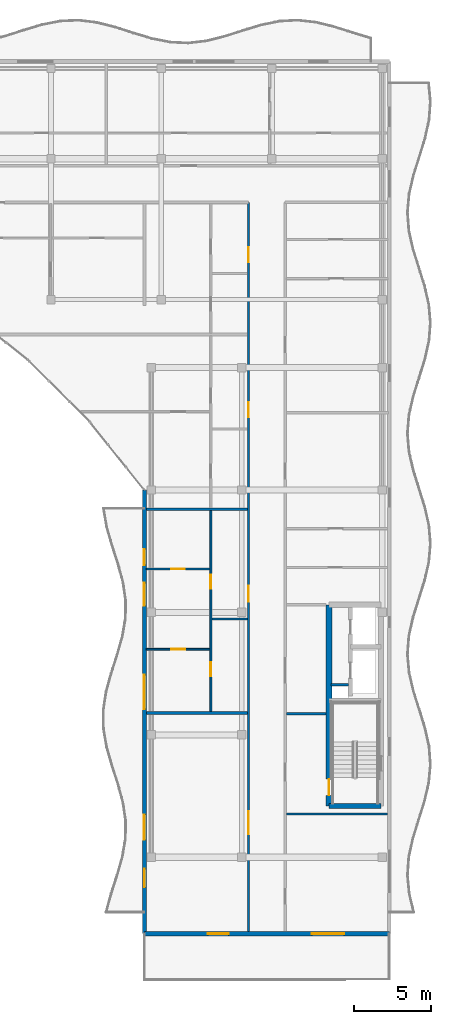
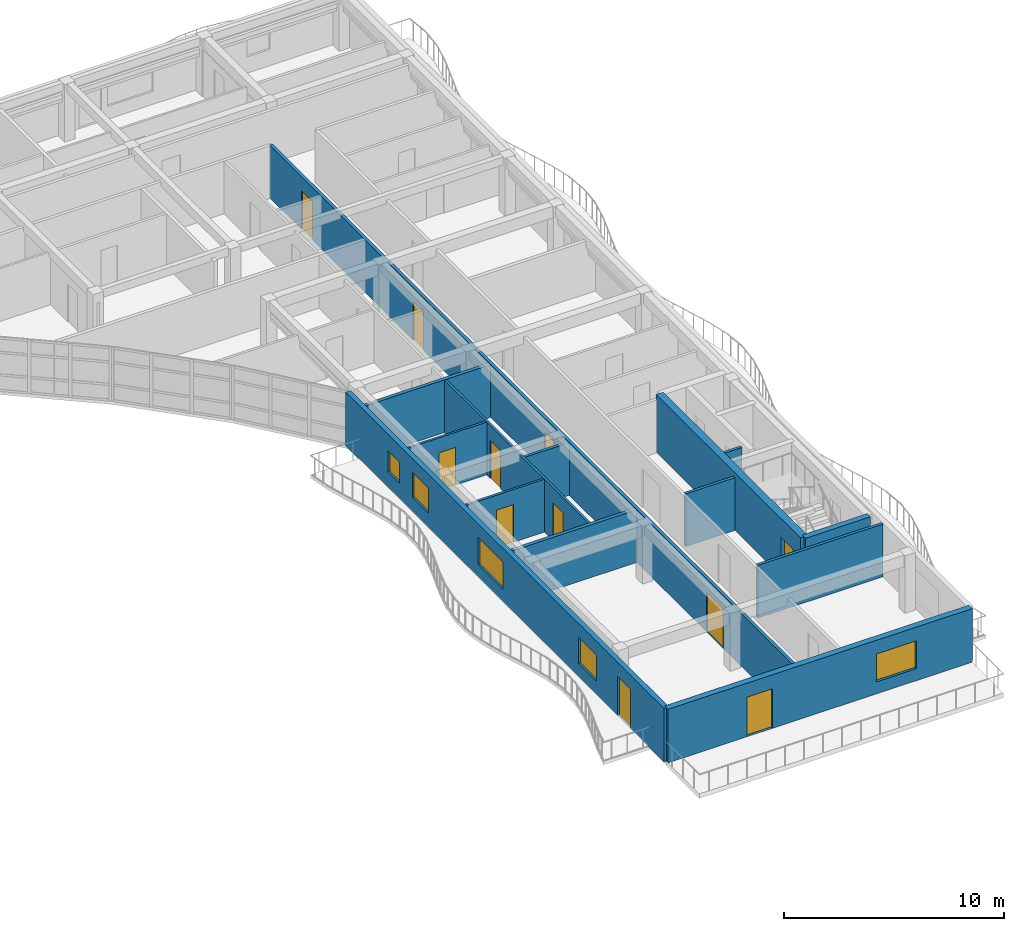
# One storey, part 33 of 49: 14 walls, 11 doors, 5 windows, 16 openings.
"""IFC4 building model written with IfcOpenShell, lengths in metres."""

from ifc_helpers import new_model, si_unit, direction, frame, frame_2d, origin, place, context, subcontext, project, spatial, rectangle, extrude, material, layer, layer_set, type_object, element, fill, save


model = new_model("IFC4")

# Units and contexts
model_context = context("Model", 3, precision=1e-05, world=origin(), true_north=direction((0.0, 1.0)))
body_context = subcontext(model_context, "Body", "Model", "MODEL_VIEW")
ifc_project = project(units=[si_unit("LENGTHUNIT", "METRE"), si_unit("AREAUNIT", "SQUARE_METRE"), si_unit("VOLUMEUNIT", "CUBIC_METRE"), si_unit("PLANEANGLEUNIT", "RADIAN"), si_unit("MASSUNIT", "GRAM", prefix="KILO")], contexts=[model_context])

# Site, building, storey
site_placement = place(None, origin())
site = spatial("IfcSite", under=ifc_project, at=site_placement, CompositionType="ELEMENT")
building_placement = place(site_placement, origin())
building = spatial("IfcBuilding", under=site, at=building_placement, Name="Keldmere Railside Commons", CompositionType="ELEMENT")
storey_placement = place(building_placement, frame((0.0, 0.0, 29.760009765625)))
storey = spatial("IfcBuildingStorey", under=building, at=storey_placement, Name="L09", CompositionType="ELEMENT", Elevation=29.760009765625)

# Walls
ifc_material_1 = material(Name="Acoustic Gypsum Board Partition", Category="gypsum")
ifc_layer_1 = layer(ifc_material_1, 0.179931640625, Name="Acoustic Demising Partition 180")
ifc_layer_set_1 = layer_set([ifc_layer_1], Name="Acoustic Gypsum Board Partition")
wall_type_1 = type_object("IfcWallType", Name="Acoustic Demising Partition 180", PredefinedType="PARTITIONING", material=ifc_layer_set_1)
for number, where, z_axis, x_axis, name in (
    (1, (168.1298828125, 73.429931640625, 0.0), (0.0, 0.0, 1.0), (1.0, 0.0, 0.0), "IW-1 IW-L09-1777"),
    (2, (168.1298828125, 86.739990234375, 0.0), (0.0, 0.0, 1.0), (1.0, 0.0, 0.0), "IW-1 IW-L09-1778"),
):
    element("IfcWall", number, at=place(storey_placement, frame(where, z_axis=z_axis, x_axis=x_axis)), inside=storey, type_object=wall_type_1, Name=name, PredefinedType="PARTITIONING", context=body_context, shape_type="SweptSolid", body=[
        extrude(rectangle(XDim=6.590087890625, YDim=0.179931640625, at=frame_2d((3.294921875, 0.0))), origin(), (0.0, 0.0, 1.0), 2.93505859375),
    ])

# Wall, openings, doors
ifc_layer_2 = layer(ifc_material_1, 0.1201171875, Name="Apartment Interior Partition 120")
ifc_layer_set_2 = layer_set([ifc_layer_2], Name="Acoustic Gypsum Board Partition")
wall_type_2 = type_object("IfcWallType", Name="Apartment Interior Partition 120", PredefinedType="PARTITIONING", material=ifc_layer_set_2)
wall_1_placement = place(storey_placement, frame((172.340087890625, 73.52001953125, 0.0), z_axis=(0.0, 0.0, 1.0), x_axis=(0.0, 1.0, 0.0)))
wall_1 = element("IfcWall", 3, at=wall_1_placement, inside=storey, type_object=wall_type_2, Name="IW-4 IW-L09-1780", PredefinedType="PARTITIONING", context=body_context, shape_type="SweptSolid", body=[
    extrude(rectangle(XDim=13.1298828125, YDim=0.1201171875, at=frame_2d((6.56494140625, 0.0))), origin(), (0.0, 0.0, 1.0), 2.93505859375),
])
opening_1_placement = place(wall_1_placement, frame((2.295166015625, 0.0, 0.0)))
opening_1 = element("IfcOpeningElement", 4, at=opening_1_placement, cuts=wall_1, Name="Opening ID-05", PredefinedType="OPENING", context=body_context, shape_type="SweptSolid", body=[
    extrude(rectangle(XDim=0.93994140625, YDim=2.10009765625, at=frame_2d((0.469970703125, 1.050048828125))), frame((0.0, 0.070068359375, 0.0), z_axis=(0.0, -1.0, 0.0), x_axis=(1.0, 0.0, 0.0)), (0.0, 0.0, 1.0), 0.14013671875),
])
opening_2_placement = place(wall_1_placement, frame((8.025146484375, 0.0, 0.0)))
opening_2 = element("IfcOpeningElement", 5, at=opening_2_placement, cuts=wall_1, Name="Opening ID-03", PredefinedType="OPENING", context=body_context, shape_type="SweptSolid", body=[
    extrude(rectangle(XDim=0.919921875, YDim=2.10009765625, at=frame_2d((0.4599609375, 1.050048828125))), frame((0.0, 0.070068359375, 0.0), z_axis=(0.0, -1.0, 0.0), x_axis=(1.0, 0.0, 0.0)), (0.0, 0.0, 1.0), 0.14013671875),
])
ifc_material_2 = material(Name="Engineered Oak Timber", Category="wood")
door_type_1 = type_object("IfcDoorType", Name="Accessible Bathroom Door 940x2100", OperationType="NOTDEFINED", PredefinedType="DOOR", material=ifc_material_2)
door_1_placement = place(opening_1_placement, origin())
door_1 = element("IfcDoor", 6, at=door_1_placement, inside=storey, type_object=door_type_1, Name="ID-05 IDR-L09-1620", OperationType="SINGLE_SWING_RIGHT", OverallHeight=2.10009765625, OverallWidth=0.93994140625, PredefinedType="DOOR", context=body_context, shape_type="SweptSolid", body=[
    extrude(rectangle(XDim=0.93994140625, YDim=2.10009765625, at=frame_2d((0.469970703125, 1.050048828125))), frame((0.0, 0.02490234375, 0.0), z_axis=(0.0, -1.0, 0.0), x_axis=(1.0, 0.0, 0.0)), (0.0, 0.0, 1.0), 0.050048828125),
])
fill(opening_1, door_1)
door_type_2 = type_object("IfcDoorType", Name="Kitchen Pocket-Frame Swing Door 920x2100", OperationType="NOTDEFINED", PredefinedType="DOOR", material=ifc_material_2)
door_2_placement = place(opening_2_placement, origin())
door_2 = element("IfcDoor", 7, at=door_2_placement, inside=storey, type_object=door_type_2, Name="ID-03 IDR-L09-1621", OperationType="SINGLE_SWING_LEFT", OverallHeight=2.10009765625, OverallWidth=0.919921875, PredefinedType="DOOR", context=body_context, shape_type="SweptSolid", body=[
    extrude(rectangle(XDim=0.919921875, YDim=2.10009765625, at=frame_2d((0.4599609375, 1.050048828125))), frame((0.0, 0.02490234375, 0.0), z_axis=(0.0, -1.0, 0.0), x_axis=(1.0, 0.0, 0.0)), (0.0, 0.0, 1.0), 0.050048828125),
])
fill(opening_2, door_2)

# Wall, opening, door
wall_2_placement = place(storey_placement, frame((168.1298828125, 77.590087890625, 0.0), z_axis=(0.0, 0.0, 1.0), x_axis=(1.0, 0.0, 0.0)))
wall_2 = element("IfcWall", 8, at=wall_2_placement, inside=storey, type_object=wall_type_2, Name="IW-4 IW-L09-1782", PredefinedType="PARTITIONING", context=body_context, shape_type="SweptSolid", body=[
    extrude(rectangle(XDim=4.150146484375, YDim=0.1201171875, at=frame_2d((2.0751953125, 0.0))), origin(), (0.0, 0.0, 1.0), 2.93505859375),
])
opening_3_placement = place(wall_2_placement, frame((1.625, 0.0, 0.0)))
opening_3 = element("IfcOpeningElement", 9, at=opening_3_placement, cuts=wall_2, Name="Opening ID-01", PredefinedType="OPENING", context=body_context, shape_type="SweptSolid", body=[
    extrude(rectangle(XDim=0.89990234375, YDim=2.10009765625, at=frame_2d((0.449951171875, 1.050048828125))), frame((0.0, 0.070068359375, 0.0), z_axis=(0.0, -1.0, 0.0), x_axis=(1.0, 0.0, 0.0)), (0.0, 0.0, 1.0), 0.14013671875),
])
door_type_3 = type_object("IfcDoorType", Name="Primary Bedroom Door 900x2100", OperationType="NOTDEFINED", PredefinedType="DOOR", material=ifc_material_2)
door_3_placement = place(opening_3_placement, origin())
door_3 = element("IfcDoor", 10, at=door_3_placement, inside=storey, type_object=door_type_3, Name="ID-01 IDR-L09-1623", OperationType="SINGLE_SWING_LEFT", OverallHeight=2.10009765625, OverallWidth=0.89990234375, PredefinedType="DOOR", context=body_context, shape_type="SweptSolid", body=[
    extrude(rectangle(XDim=0.89990234375, YDim=2.10009765625, at=frame_2d((0.449951171875, 1.050048828125))), frame((0.0, 0.02490234375, 0.0), z_axis=(0.0, -1.0, 0.0), x_axis=(1.0, 0.0, 0.0)), (0.0, 0.0, 1.0), 0.050048828125),
])
fill(opening_3, door_3)

wall_3_placement = place(storey_placement, frame((168.1298828125, 82.840087890625, 0.0), z_axis=(0.0, 0.0, 1.0), x_axis=(1.0, 0.0, 0.0)))
wall_3 = element("IfcWall", 11, at=wall_3_placement, inside=storey, type_object=wall_type_2, Name="IW-4 IW-L09-1783", PredefinedType="PARTITIONING", context=body_context, shape_type="SweptSolid", body=[
    extrude(rectangle(XDim=4.150146484375, YDim=0.1201171875, at=frame_2d((2.0751953125, 0.0))), origin(), (0.0, 0.0, 1.0), 2.93505859375),
])
opening_4_placement = place(wall_3_placement, frame((1.635009765625, 0.0, 0.0)))
opening_4 = element("IfcOpeningElement", 12, at=opening_4_placement, cuts=wall_3, Name="Opening ID-02", PredefinedType="OPENING", context=body_context, shape_type="SweptSolid", body=[
    extrude(rectangle(XDim=0.8798828125, YDim=2.10009765625, at=frame_2d((0.43994140625, 1.050048828125))), frame((0.0, 0.070068359375, 0.0), z_axis=(0.0, -1.0, 0.0), x_axis=(1.0, 0.0, 0.0)), (0.0, 0.0, 1.0), 0.14013671875),
])
door_type_4 = type_object("IfcDoorType", Name="Secondary Bedroom Door 880x2100", OperationType="NOTDEFINED", PredefinedType="DOOR", material=ifc_material_2)
door_4_placement = place(opening_4_placement, origin())
door_4 = element("IfcDoor", 13, at=door_4_placement, inside=storey, type_object=door_type_4, Name="ID-02 IDR-L09-1624", OperationType="SINGLE_SWING_RIGHT", OverallHeight=2.10009765625, OverallWidth=0.8798828125, PredefinedType="DOOR", context=body_context, shape_type="SweptSolid", body=[
    extrude(rectangle(XDim=0.8798828125, YDim=2.10009765625, at=frame_2d((0.43994140625, 1.050048828125))), frame((0.0, 0.02490234375, 0.0), z_axis=(0.0, -1.0, 0.0), x_axis=(1.0, 0.0, 0.0)), (0.0, 0.0, 1.0), 0.050048828125),
])
fill(opening_4, door_4)

ifc_material_3 = material(Name="Concrete H-40 (C40/50)", Category="concrete")
ifc_layer_3 = layer(ifc_material_3, 0.3798828125, Name="Core Shear Wall 380")
ifc_layer_set_3 = layer_set([ifc_layer_3], Name="Concrete H-40 (C40/50)")
wall_type_3 = type_object("IfcWallType", Name="Core Shear Wall 380", PredefinedType="SHEAR", material=ifc_layer_set_3)
wall_4_placement = place(storey_placement, frame((180.06005859375, 67.35009765625, 0.0), z_axis=(0.0, 0.0, 1.0), x_axis=(0.0, 1.0, 0.0)))
wall_4 = element("IfcWall", 14, at=wall_4_placement, inside=storey, type_object=wall_type_3, Name="CW-CORE COREAW-L09-0816", PredefinedType="SHEAR", context=body_context, shape_type="SweptSolid", body=[
    extrude(rectangle(XDim=13.14990234375, YDim=0.3798828125, at=frame_2d((6.574951171875, 0.0))), origin(), (0.0, 0.0, 1.0), 3.199951171875),
])
opening_5_placement = place(wall_4_placement, frame((0.699951171875, 0.0, 0.0)))
opening_5 = element("IfcOpeningElement", 15, at=opening_5_placement, cuts=wall_4, Name="Opening FD-1", PredefinedType="OPENING", context=body_context, shape_type="SweptSolid", body=[
    extrude(rectangle(XDim=1.050048828125, YDim=2.14990234375, at=frame_2d((0.52490234375, 1.074951171875))), frame((0.0, 0.199951171875, 0.0), z_axis=(0.0, -1.0, 0.0), x_axis=(1.0, 0.0, 0.0)), (0.0, 0.0, 1.0), 0.39990234375),
])
ifc_material_4 = material(Name="Steel F-24 (S235)", Category="steel")
door_type_5 = type_object("IfcDoorType", Name="Stair Core Fire Door 1050x2150", OperationType="NOTDEFINED", PredefinedType="DOOR", material=ifc_material_4)
door_5_placement = place(opening_5_placement, origin())
door_5 = element("IfcDoor", 16, at=door_5_placement, inside=storey, type_object=door_type_5, Name="FD-1 A1 L09", OperationType="SINGLE_SWING_LEFT", OverallHeight=2.14990234375, OverallWidth=1.050048828125, PredefinedType="DOOR", context=body_context, shape_type="SweptSolid", body=[
    extrude(rectangle(XDim=1.050048828125, YDim=2.14990234375, at=frame_2d((0.52490234375, 1.074951171875))), frame((0.0, 0.02490234375, 0.0), z_axis=(0.0, -1.0, 0.0), x_axis=(1.0, 0.0, 0.0)), (0.0, 0.0, 1.0), 0.050048828125),
])
fill(opening_5, door_5)

# Wall, openings, doors
ifc_layer_4 = layer(ifc_material_1, 0.159912109375, Name="Corridor Fire Partition 160")
ifc_layer_set_4 = layer_set([ifc_layer_4], Name="Acoustic Gypsum Board Partition")
wall_type_4 = type_object("IfcWallType", Name="Corridor Fire Partition 160", PredefinedType="PARTITIONING", material=ifc_layer_set_4)
wall_5_placement = place(storey_placement, frame((174.800048828125, 59.159912109375, 0.0), z_axis=(0.0, 0.0, 1.0), x_axis=(0.0, 1.0, 0.0)))
wall_5 = element("IfcWall", 17, at=wall_5_placement, inside=storey, type_object=wall_type_4, Name="IW-2 IW-L09-1769", PredefinedType="PARTITIONING", context=body_context, shape_type="SweptSolid", body=[
    extrude(rectangle(XDim=47.64013671875, YDim=0.159912109375, at=frame_2d((23.820068359375, 0.0))), origin(), (0.0, 0.0, 1.0), 2.93505859375),
])
opening_6_placement = place(wall_5_placement, frame((6.340087890625, 0.0, 0.0)))
opening_6 = element("IfcOpeningElement", 18, at=opening_6_placement, cuts=wall_5, Name="Opening ID-07", PredefinedType="OPENING", context=body_context, shape_type="SweptSolid", body=[
    extrude(rectangle(XDim=1.5, YDim=2.199951171875, at=frame_2d((0.75, 1.10009765625))), frame((0.0, 0.08984375, 0.0), z_axis=(0.0, -1.0, 0.0), x_axis=(1.0, 0.0, 0.0)), (0.0, 0.0, 1.0), 0.179931640625),
])
opening_7_placement = place(wall_5_placement, frame((21.550048828125, 0.0, 0.0)))
opening_7 = element("IfcOpeningElement", 19, at=opening_7_placement, cuts=wall_5, Name="Opening FD-8", PredefinedType="OPENING", context=body_context, shape_type="SweptSolid", body=[
    extrude(rectangle(XDim=1.02001953125, YDim=2.14990234375, at=frame_2d((0.510009765625, 1.074951171875))), frame((0.0, 0.08984375, 0.0), z_axis=(0.0, -1.0, 0.0), x_axis=(1.0, 0.0, 0.0)), (0.0, 0.0, 1.0), 0.179931640625),
])
opening_8_placement = place(wall_5_placement, frame((33.590087890625, 0.0, 0.0)))
opening_8 = element("IfcOpeningElement", 20, at=opening_8_placement, cuts=wall_5, Name="Opening FD-7", PredefinedType="OPENING", context=body_context, shape_type="SweptSolid", body=[
    extrude(rectangle(XDim=0.97998046875, YDim=2.14990234375, at=frame_2d((0.489990234375, 1.074951171875))), frame((0.0, 0.08984375, 0.0), z_axis=(0.0, -1.0, 0.0), x_axis=(1.0, 0.0, 0.0)), (0.0, 0.0, 1.0), 0.179931640625),
])
opening_9_placement = place(wall_5_placement, frame((43.739990234375, 0.0, 0.0)))
opening_9 = element("IfcOpeningElement", 21, at=opening_9_placement, cuts=wall_5, Name="Opening FD-7", PredefinedType="OPENING", context=body_context, shape_type="SweptSolid", body=[
    extrude(rectangle(XDim=0.97998046875, YDim=2.14990234375, at=frame_2d((0.489990234375, 1.074951171875))), frame((0.0, 0.08984375, 0.0), z_axis=(0.0, -1.0, 0.0), x_axis=(1.0, 0.0, 0.0)), (0.0, 0.0, 1.0), 0.179931640625),
])
door_type_6 = type_object("IfcDoorType", Name="Adaptable Apartment Entrance Fire Door 1020x2150", OperationType="NOTDEFINED", PredefinedType="DOOR", material=ifc_material_2)
door_6_placement = place(opening_7_placement, origin())
door_6 = element("IfcDoor", 22, at=door_6_placement, inside=storey, type_object=door_type_6, Name="FD-8 IDR-L09-1622", OperationType="SINGLE_SWING_RIGHT", OverallHeight=2.14990234375, OverallWidth=1.02001953125, PredefinedType="DOOR", context=body_context, shape_type="SweptSolid", body=[
    extrude(rectangle(XDim=1.02001953125, YDim=2.14990234375, at=frame_2d((0.510009765625, 1.074951171875))), frame((0.0, 0.02490234375, 0.0), z_axis=(0.0, -1.0, 0.0), x_axis=(1.0, 0.0, 0.0)), (0.0, 0.0, 1.0), 0.050048828125),
])
fill(opening_7, door_6)
door_type_7 = type_object("IfcDoorType", Name="Apartment Entrance Acoustic Fire Door 980x2150", OperationType="NOTDEFINED", PredefinedType="DOOR", material=ifc_material_2)
door_7_placement = place(opening_8_placement, origin())
door_7 = element("IfcDoor", 23, at=door_7_placement, inside=storey, type_object=door_type_7, Name="FD-7 IDR-L09-1627", OperationType="SINGLE_SWING_LEFT", OverallHeight=2.14990234375, OverallWidth=0.97998046875, PredefinedType="DOOR", context=body_context, shape_type="SweptSolid", body=[
    extrude(rectangle(XDim=0.97998046875, YDim=2.14990234375, at=frame_2d((0.489990234375, 1.074951171875))), frame((0.0, 0.02490234375, 0.0), z_axis=(0.0, -1.0, 0.0), x_axis=(1.0, 0.0, 0.0)), (0.0, 0.0, 1.0), 0.050048828125),
])
fill(opening_8, door_7)
door_8_placement = place(opening_9_placement, origin())
door_8 = element("IfcDoor", 24, at=door_8_placement, inside=storey, type_object=door_type_7, Name="FD-7 IDR-L09-1631", OperationType="SINGLE_SWING_LEFT", OverallHeight=2.14990234375, OverallWidth=0.97998046875, PredefinedType="DOOR", context=body_context, shape_type="SweptSolid", body=[
    extrude(rectangle(XDim=0.97998046875, YDim=2.14990234375, at=frame_2d((0.489990234375, 1.074951171875))), frame((0.0, 0.02490234375, 0.0), z_axis=(0.0, -1.0, 0.0), x_axis=(1.0, 0.0, 0.0)), (0.0, 0.0, 1.0), 0.050048828125),
])
fill(opening_9, door_8)
door_type_8 = type_object("IfcDoorType", Name="Resident Lounge Double Door 1500x2200", OperationType="DOUBLE_DOOR_SINGLE_SWING", PredefinedType="DOOR", material=ifc_material_2)
door_9_placement = place(opening_6_placement, origin())
door_9 = element("IfcDoor", 25, at=door_9_placement, inside=storey, type_object=door_type_8, Name="ID-07 IDR-L09-1619", OperationType="DOUBLE_DOOR_SINGLE_SWING", OverallHeight=2.199951171875, OverallWidth=1.5, PredefinedType="DOOR", context=body_context, shape_type="SweptSolid", body=[
    extrude(rectangle(XDim=1.5, YDim=2.199951171875, at=frame_2d((0.75, 1.10009765625))), frame((0.0, 0.02490234375, 0.0), z_axis=(0.0, -1.0, 0.0), x_axis=(1.0, 0.0, 0.0)), (0.0, 0.0, 1.0), 0.050048828125),
])
fill(opening_6, door_9)

# Wall, openings, door, window
ifc_material_5 = material(Name="Concrete H-35 (C35/45)", Category="concrete")
ifc_layer_5 = layer(ifc_material_5, 0.320068359375, Name="Exterior Shear Wall 320")
ifc_layer_set_5 = layer_set([ifc_layer_5], Name="Concrete H-35 (C35/45)")
wall_type_5 = type_object("IfcWallType", Name="Exterior Shear Wall 320", PredefinedType="SHEAR", material=ifc_layer_set_5)
wall_6_placement = place(storey_placement, frame((184.0, 59.0, 0.0), z_axis=(0.0, 0.0, 1.0), x_axis=(-1.0, 0.0, 0.0)))
wall_6 = element("IfcWall", 26, at=wall_6_placement, inside=storey, type_object=wall_type_5, Name="ESW-2 EXTA-L09-0938", PredefinedType="SHEAR", context=body_context, shape_type="SweptSolid", body=[
    extrude(rectangle(XDim=16.0, YDim=0.320068359375, at=frame_2d((8.0, 0.0))), origin(), (0.0, 0.0, 1.0), 2.97998046875),
])
opening_10_placement = place(wall_6_placement, frame((10.5, 0.0, 0.0)))
opening_10 = element("IfcOpeningElement", 27, at=opening_10_placement, cuts=wall_6, Name="Opening BD-03", PredefinedType="OPENING", context=body_context, shape_type="SweptSolid", body=[
    extrude(rectangle(XDim=1.35009765625, YDim=2.199951171875, at=frame_2d((0.675048828125, 1.10009765625))), frame((0.0, 0.169921875, 0.0), z_axis=(0.0, -1.0, 0.0), x_axis=(1.0, 0.0, 0.0)), (0.0, 0.0, 1.0), 0.340087890625),
])
opening_11_placement = place(wall_6_placement, frame((2.949951171875, 0.0, 0.669921875)))
opening_11 = element("IfcOpeningElement", 28, at=opening_11_placement, cuts=wall_6, Name="Opening WN-11", PredefinedType="OPENING", context=body_context, shape_type="SweptSolid", body=[
    extrude(rectangle(XDim=2.10009765625, YDim=1.550048828125, at=frame_2d((1.050048828125, 0.77490234375))), frame((0.0, 0.169921875, 0.0), z_axis=(0.0, -1.0, 0.0), x_axis=(1.0, 0.0, 0.0)), (0.0, 0.0, 1.0), 0.340087890625),
])
ifc_material_6 = material(Name="Thermally Broken Aluminium", Category="aluminium")
door_type_9 = type_object("IfcDoorType", Name="Planted Roof-Terrace Lounge Door 1350x2200", OperationType="NOTDEFINED", PredefinedType="DOOR", material=ifc_material_6)
door_10_placement = place(opening_10_placement, origin())
door_10 = element("IfcDoor", 29, at=door_10_placement, inside=storey, type_object=door_type_9, Name="BD-03 DR-L09-0268", OperationType="SINGLE_SWING_RIGHT", OverallHeight=2.199951171875, OverallWidth=1.35009765625, PredefinedType="DOOR", context=body_context, shape_type="SweptSolid", body=[
    extrude(rectangle(XDim=1.35009765625, YDim=2.199951171875, at=frame_2d((0.675048828125, 1.10009765625))), frame((0.0, 0.02490234375, 0.0), z_axis=(0.0, -1.0, 0.0), x_axis=(1.0, 0.0, 0.0)), (0.0, 0.0, 1.0), 0.050048828125),
])
fill(opening_10, door_10)
ifc_material_7 = material(Name="Low-E Insulated Double Glazing", Category="glass")
window_type_1 = type_object("IfcWindowType", Name="Studio Wide Casement Window 2100x1550", PartitioningType="SINGLE_PANEL", PredefinedType="WINDOW", material=ifc_material_7)
window_1_placement = place(opening_11_placement, origin())
window_1 = element("IfcWindow", 30, at=window_1_placement, inside=storey, type_object=window_type_1, Name="WN-11 WIN-L09-0739", OverallHeight=1.550048828125, OverallWidth=2.10009765625, PartitioningType="SINGLE_PANEL", PredefinedType="WINDOW", context=body_context, shape_type="SweptSolid", body=[
    extrude(rectangle(XDim=2.10009765625, YDim=1.550048828125, at=frame_2d((1.050048828125, 0.77490234375))), frame((0.0, 0.030029296875, 0.0), z_axis=(0.0, -1.0, 0.0), x_axis=(1.0, 0.0, 0.0)), (0.0, 0.0, 1.0), 0.06005859375),
])
fill(opening_11, window_1)

# Walls
ifc_layer_6 = layer(ifc_material_5, 0.300048828125, Name="Interior Shear Wall 300")
ifc_layer_set_6 = layer_set([ifc_layer_6], Name="Concrete H-35 (C35/45)")
wall_type_6 = type_object("IfcWallType", Name="Interior Shear Wall 300", PredefinedType="SHEAR", material=ifc_layer_set_6)
wall_7_placement = place(storey_placement, frame((183.469970703125, 67.35009765625, 0.0), z_axis=(0.0, 0.0, 1.0), x_axis=(-1.0, 0.0, 0.0)))
element("IfcWall", 31, at=wall_7_placement, inside=storey, type_object=wall_type_6, Name="ISW-2 COREAS-L09-0819", PredefinedType="SHEAR", context=body_context, shape_type="SweptSolid", body=[
    extrude(rectangle(XDim=3.409912109375, YDim=0.300048828125, at=frame_2d((1.705078125, 0.0))), origin(), (0.0, 0.0, 1.0), 3.199951171875),
])
ifc_layer_7 = layer(ifc_material_1, 0.14990234375, Name="Lobby Rated Partition 150")
ifc_layer_set_7 = layer_set([ifc_layer_7], Name="Acoustic Gypsum Board Partition")
wall_type_7 = type_object("IfcWallType", Name="Lobby Rated Partition 150", PredefinedType="PARTITIONING", material=ifc_layer_set_7)
wall_8_placement = place(storey_placement, frame((180.199951171875, 75.280029296875, 0.0), z_axis=(0.0, 0.0, 1.0), x_axis=(1.0, 0.0, 0.0)))
element("IfcWall", 32, at=wall_8_placement, inside=storey, type_object=wall_type_7, Name="IW-3 RSRNA-L09-0823", PredefinedType="PARTITIONING", context=body_context, shape_type="SweptSolid", body=[
    extrude(rectangle(XDim=1.130126953125, YDim=0.14990234375, at=frame_2d((0.56494140625, 0.0))), origin(), (0.0, 0.0, 1.0), 2.949951171875),
])
wall_9_placement = place(storey_placement, frame((177.280029296875, 66.820068359375, 0.0), z_axis=(0.0, 0.0, 1.0), x_axis=(1.0, 0.0, 0.0)))
element("IfcWall", 33, at=wall_9_placement, inside=storey, type_object=wall_type_7, Name="IW-3 IW-L09-1766", PredefinedType="PARTITIONING", context=body_context, shape_type="SweptSolid", body=[
    extrude(rectangle(XDim=6.590087890625, YDim=0.14990234375, at=frame_2d((3.294921875, 0.0))), origin(), (0.0, 0.0, 1.0), 2.93505859375),
])
wall_10_placement = place(storey_placement, frame((177.280029296875, 73.3798828125, 0.0), z_axis=(0.0, 0.0, 1.0), x_axis=(1.0, 0.0, 0.0)))
element("IfcWall", 34, at=wall_10_placement, inside=storey, type_object=wall_type_7, Name="IW-3 IW-L09-1767", PredefinedType="PARTITIONING", context=body_context, shape_type="SweptSolid", body=[
    extrude(rectangle(XDim=2.590087890625, YDim=0.14990234375, at=frame_2d((1.294921875, 0.0))), origin(), (0.0, 0.0, 1.0), 2.93505859375),
])

# Wall, openings, windows, door
ifc_material_8 = material(Name="Terracotta Brick Masonry", Category="masonry")
ifc_layer_8 = layer(ifc_material_8, 0.260009765625, Name="Terracotta Cavity Wall 260")
ifc_layer_set_8 = layer_set([ifc_layer_8], Name="Terracotta Brick Masonry")
wall_type_8 = type_object("IfcWallType", Name="Terracotta Cavity Wall 260", PredefinedType="SOLIDWALL", material=ifc_layer_set_8)
wall_11_placement = place(storey_placement, frame((168.0, 59.0, 0.0), z_axis=(0.0, 0.0, 1.0), x_axis=(0.0, 1.0, 0.0)))
wall_11 = element("IfcWall", 35, at=wall_11_placement, inside=storey, type_object=wall_type_8, Name="EW-1 EXTA-L09-0943", PredefinedType="SOLIDWALL", context=body_context, shape_type="SweptSolid", body=[
    extrude(rectangle(XDim=29.0, YDim=0.260009765625, at=frame_2d((14.5, 0.0))), origin(), (0.0, 0.0, 1.0), 2.97998046875),
])
opening_12_placement = place(wall_11_placement, frame((3.033203125, 0.0, 0.0)))
opening_12 = element("IfcOpeningElement", 36, at=opening_12_placement, cuts=wall_11, Name="Opening BD-01", PredefinedType="OPENING", context=body_context, shape_type="SweptSolid", body=[
    extrude(rectangle(XDim=1.199951171875, YDim=2.199951171875, at=frame_2d((0.60009765625, 1.10009765625))), frame((0.0, 0.139892578125, 0.0), z_axis=(0.0, -1.0, 0.0), x_axis=(1.0, 0.0, 0.0)), (0.0, 0.0, 1.0), 0.280029296875),
])
opening_13_placement = place(wall_11_placement, frame((6.13330078125, 0.0, 0.77001953125)))
opening_13 = element("IfcOpeningElement", 37, at=opening_13_placement, cuts=wall_11, Name="Opening WN-03", PredefinedType="OPENING", context=body_context, shape_type="SweptSolid", body=[
    extrude(rectangle(XDim=1.64990234375, YDim=1.449951171875, at=frame_2d((0.824951171875, 0.72509765625))), frame((0.0, 0.139892578125, 0.0), z_axis=(0.0, -1.0, 0.0), x_axis=(1.0, 0.0, 0.0)), (0.0, 0.0, 1.0), 0.280029296875),
])
opening_14_placement = place(wall_11_placement, frame((14.675048828125, 0.0, 0.719970703125)))
opening_14 = element("IfcOpeningElement", 38, at=opening_14_placement, cuts=wall_11, Name="Opening WN-12", PredefinedType="OPENING", context=body_context, shape_type="SweptSolid", body=[
    extrude(rectangle(XDim=2.25, YDim=1.5, at=frame_2d((1.125, 0.75))), frame((0.0, 0.139892578125, 0.0), z_axis=(0.0, -1.0, 0.0), x_axis=(1.0, 0.0, 0.0)), (0.0, 0.0, 1.0), 0.280029296875),
])
opening_15_placement = place(wall_11_placement, frame((24.091796875, 0.0, 0.89990234375)))
opening_15 = element("IfcOpeningElement", 39, at=opening_15_placement, cuts=wall_11, Name="Opening WN-13", PredefinedType="OPENING", context=body_context, shape_type="SweptSolid", body=[
    extrude(rectangle(XDim=1.050048828125, YDim=1.14990234375, at=frame_2d((0.52490234375, 0.574951171875))), frame((0.0, 0.139892578125, 0.0), z_axis=(0.0, -1.0, 0.0), x_axis=(1.0, 0.0, 0.0)), (0.0, 0.0, 1.0), 0.280029296875),
])
opening_16_placement = place(wall_11_placement, frame((21.430419921875, 0.0, 0.820068359375)))
opening_16 = element("IfcOpeningElement", 40, at=opening_16_placement, cuts=wall_11, Name="Opening WN-06", PredefinedType="OPENING", context=body_context, shape_type="SweptSolid", body=[
    extrude(rectangle(XDim=1.5, YDim=1.39990234375, at=frame_2d((0.75, 0.699951171875))), frame((0.0, 0.139892578125, 0.0), z_axis=(0.0, -1.0, 0.0), x_axis=(1.0, 0.0, 0.0)), (0.0, 0.0, 1.0), 0.280029296875),
])
window_type_2 = type_object("IfcWindowType", Name="Apartment Kitchen Casement Window 1050x1150", PartitioningType="SINGLE_PANEL", PredefinedType="WINDOW", material=ifc_material_7)
window_2_placement = place(opening_15_placement, origin())
window_2 = element("IfcWindow", 41, at=window_2_placement, inside=storey, type_object=window_type_2, Name="WN-13 WIN-L09-0755", OverallHeight=1.14990234375, OverallWidth=1.050048828125, PartitioningType="SINGLE_PANEL", PredefinedType="WINDOW", context=body_context, shape_type="SweptSolid", body=[
    extrude(rectangle(XDim=1.050048828125, YDim=1.14990234375, at=frame_2d((0.52490234375, 0.574951171875))), frame((0.0, 0.030029296875, 0.0), z_axis=(0.0, -1.0, 0.0), x_axis=(1.0, 0.0, 0.0)), (0.0, 0.0, 1.0), 0.06005859375),
])
fill(opening_15, window_2)
door_type_10 = type_object("IfcDoorType", Name="Apartment Living Wave-Balcony Glazed Door 1200x2200", OperationType="NOTDEFINED", PredefinedType="DOOR", material=ifc_material_6)
door_11_placement = place(opening_12_placement, origin())
door_11 = element("IfcDoor", 42, at=door_11_placement, inside=storey, type_object=door_type_10, Name="BD-01 DR-L09-0273", OperationType="SINGLE_SWING_LEFT", OverallHeight=2.199951171875, OverallWidth=1.199951171875, PredefinedType="DOOR", context=body_context, shape_type="SweptSolid", body=[
    extrude(rectangle(XDim=1.199951171875, YDim=2.199951171875, at=frame_2d((0.60009765625, 1.10009765625))), frame((0.0, 0.02490234375, 0.0), z_axis=(0.0, -1.0, 0.0), x_axis=(1.0, 0.0, 0.0)), (0.0, 0.0, 1.0), 0.050048828125),
])
fill(opening_12, door_11)
window_type_3 = type_object("IfcWindowType", Name="Living Room East Shaded Window 1650x1450", PartitioningType="SINGLE_PANEL", PredefinedType="WINDOW", material=ifc_material_7)
window_3_placement = place(opening_13_placement, origin())
window_3 = element("IfcWindow", 43, at=window_3_placement, inside=storey, type_object=window_type_3, Name="WN-03 WIN-L09-0753", OverallHeight=1.449951171875, OverallWidth=1.64990234375, PartitioningType="SINGLE_PANEL", PredefinedType="WINDOW", context=body_context, shape_type="SweptSolid", body=[
    extrude(rectangle(XDim=1.64990234375, YDim=1.449951171875, at=frame_2d((0.824951171875, 0.72509765625))), frame((0.0, 0.030029296875, 0.0), z_axis=(0.0, -1.0, 0.0), x_axis=(1.0, 0.0, 0.0)), (0.0, 0.0, 1.0), 0.06005859375),
])
fill(opening_13, window_3)
window_type_4 = type_object("IfcWindowType", Name="Primary Bedroom North Window 1500x1400", PartitioningType="SINGLE_PANEL", PredefinedType="WINDOW", material=ifc_material_7)
window_4_placement = place(opening_16_placement, origin())
window_4 = element("IfcWindow", 44, at=window_4_placement, inside=storey, type_object=window_type_4, Name="WN-06 WIN-L09-9076", OverallHeight=1.39990234375, OverallWidth=1.5, PartitioningType="SINGLE_PANEL", PredefinedType="WINDOW", context=body_context, shape_type="SweptSolid", body=[
    extrude(rectangle(XDim=1.5, YDim=1.39990234375, at=frame_2d((0.75, 0.699951171875))), frame((0.0, 0.030029296875, 0.0), z_axis=(0.0, -1.0, 0.0), x_axis=(1.0, 0.0, 0.0)), (0.0, 0.0, 1.0), 0.06005859375),
])
fill(opening_16, window_4)
window_type_5 = type_object("IfcWindowType", Name="Studio Court Ribbon Window 2250x1500", PartitioningType="SINGLE_PANEL", PredefinedType="WINDOW", material=ifc_material_7)
window_5_placement = place(opening_14_placement, origin())
window_5 = element("IfcWindow", 45, at=window_5_placement, inside=storey, type_object=window_type_5, Name="WN-12 WIN-L09-0754", OverallHeight=1.5, OverallWidth=2.25, PartitioningType="SINGLE_PANEL", PredefinedType="WINDOW", context=body_context, shape_type="SweptSolid", body=[
    extrude(rectangle(XDim=2.25, YDim=1.5, at=frame_2d((1.125, 0.75))), frame((0.0, 0.030029296875, 0.0), z_axis=(0.0, -1.0, 0.0), x_axis=(1.0, 0.0, 0.0)), (0.0, 0.0, 1.0), 0.06005859375),
])
fill(opening_14, window_5)

# Wall
ifc_layer_9 = layer(ifc_material_1, 0.139892578125, Name="Wet-Room Sanitary Partition 140")
ifc_layer_set_9 = layer_set([ifc_layer_9], Name="Acoustic Gypsum Board Partition")
wall_type_9 = type_object("IfcWallType", Name="Wet-Room Sanitary Partition 140", PredefinedType="PARTITIONING", material=ifc_layer_set_9)
wall_12_placement = place(storey_placement, frame((172.39990234375, 79.56005859375, 0.0), z_axis=(0.0, 0.0, 1.0), x_axis=(1.0, 0.0, 0.0)))
element("IfcWall", 46, at=wall_12_placement, inside=storey, type_object=wall_type_9, Name="IW-5 IW-L09-1781", PredefinedType="PARTITIONING", context=body_context, shape_type="SweptSolid", body=[
    extrude(rectangle(XDim=2.320068359375, YDim=0.139892578125, at=frame_2d((1.16015625, 0.0))), origin(), (0.0, 0.0, 1.0), 2.93505859375),
])

save(model, "model.ifc")
